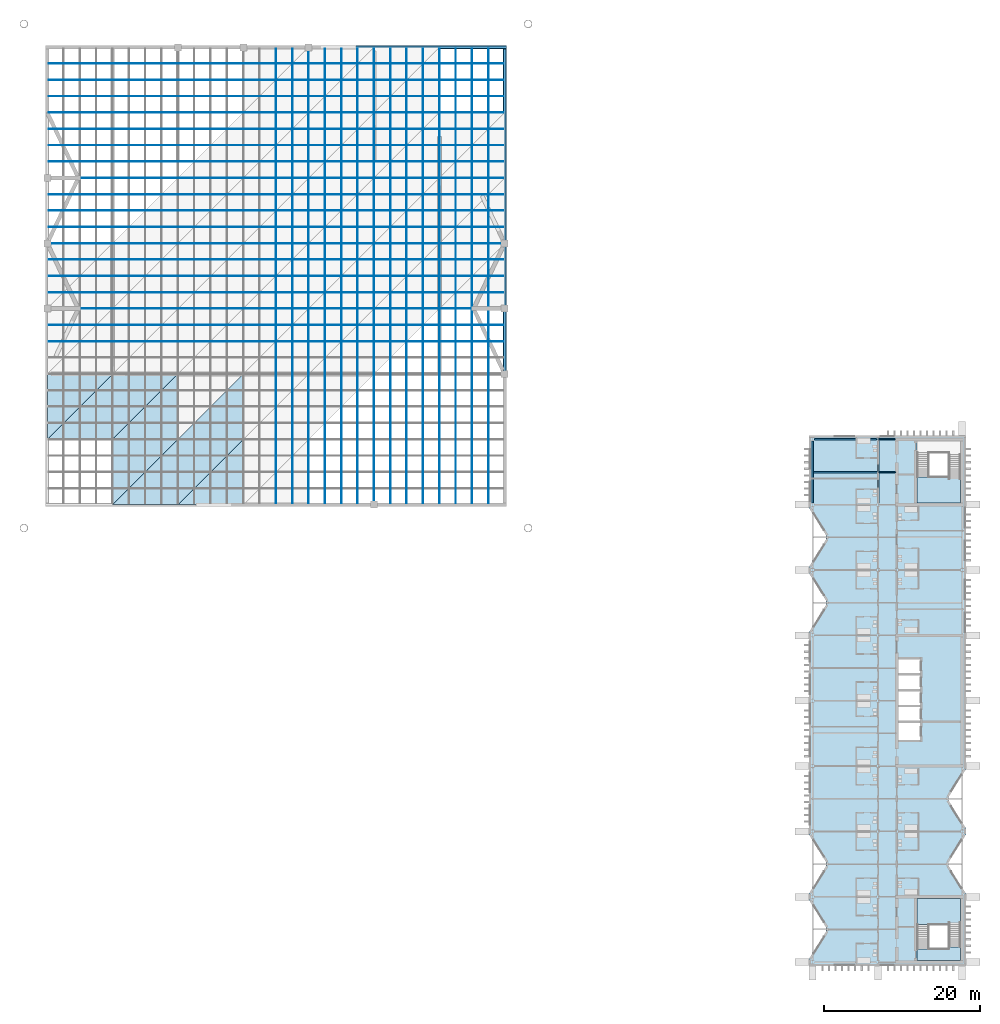
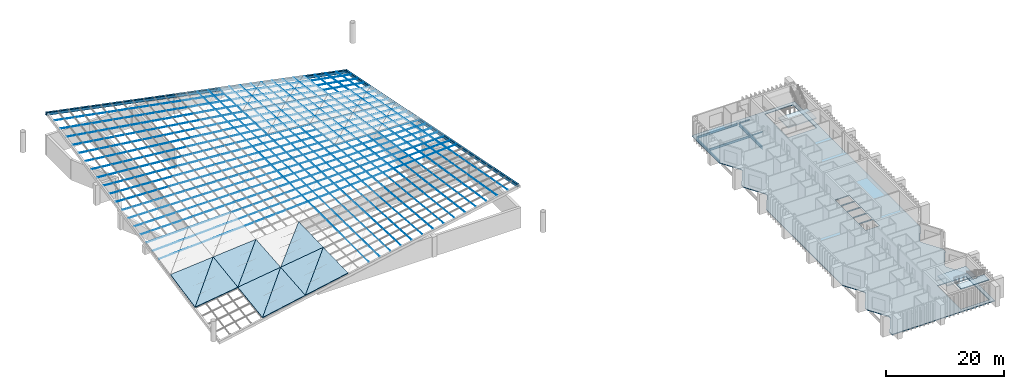
# One storey, part 9 of 20: 34 members, 13 slabs, 6 beams, 2 elements without a shape of their own.
"""IFC4 building model written with IfcOpenShell, lengths in metres."""

from ifc_helpers import new_model, si_unit, direction, frame, origin, origin_2d, place, context, subcontext, project, spatial, polyline, hollow_rectangle, circle, i_section, outline, extrude, material, layer, layer_set, material_profile, profile_set, type_object, element, aggregate, save


model = new_model("IFC4")

# Units and contexts
model_context = context("Model", 3, precision=1e-05, world=origin(), true_north=direction((0.0, 1.0)))
body_context = subcontext(model_context, "Body", "Model", "MODEL_VIEW")
ifc_project = project(units=[si_unit("LENGTHUNIT", "METRE"), si_unit("AREAUNIT", "SQUARE_METRE"), si_unit("VOLUMEUNIT", "CUBIC_METRE"), si_unit("PLANEANGLEUNIT", "RADIAN"), si_unit("MASSUNIT", "GRAM", prefix="KILO")], contexts=[model_context])

# Site, building, storey
site_placement = place(None, origin())
site = spatial("IfcSite", under=ifc_project, at=site_placement, CompositionType="ELEMENT")
building_placement = place(site_placement, origin())
building = spatial("IfcBuilding", under=site, at=building_placement, Name="Cresset Court Congress Hotel", CompositionType="ELEMENT")
storey_placement = place(building_placement, frame((0.0, 0.0, 27.0)))
storey = spatial("IfcBuildingStorey", under=building, at=storey_placement, Name="L06", CompositionType="ELEMENT", Elevation=27.0)

# Members
ifc_material_1 = material(Name="Structural steel Q355B", Category="steel")
ifc_material_profile_1 = material_profile(ifc_material_1, circle(Radius=0.02392578125, at=origin_2d()), Name="CABLE48")
ifc_profile_set_1 = profile_set([ifc_material_profile_1], Name="Structural steel Q355B")
member_type_1 = type_object("IfcMemberType", Name="Net cable 48", PredefinedType="USERDEFINED", material=ifc_profile_set_1)
member_1_placement = place(storey_placement, frame((59.00390625, 79.800048828125, 1.22607421875), z_axis=(0.998360400051, 0.0, 0.057240821184), x_axis=(0.0, 1.0, 0.0)))
element("IfcMember", 1, at=member_1_placement, inside=storey, type_object=member_type_1, Name="Net cable CB-X10", ObjectType="CABLE", PredefinedType="USERDEFINED", context=body_context, shape_type="SweptSolid", body=[
    extrude(circle(Radius=0.02392578125, at=origin_2d()), origin(), (0.0, 0.0, 1.0), 58.488037109375),
])
member_2_placement = place(storey_placement, frame((59.00390625, 81.89990234375, 1.64453125), z_axis=(0.999076687205, 0.0, 0.042962461337), x_axis=(0.0, 1.0, 0.0)))
element("IfcMember", 2, at=member_2_placement, inside=storey, type_object=member_type_1, Name="Net cable CB-X11", ObjectType="CABLE", PredefinedType="USERDEFINED", context=body_context, shape_type="SweptSolid", body=[
    extrude(circle(Radius=0.02392578125, at=origin_2d()), origin(), (0.0, 0.0, 1.0), 58.446044921875),
])
member_3_placement = place(storey_placement, frame((59.00390625, 84.0, 2.06298828125), z_axis=(0.999589282936, 0.0, 0.028657729156), x_axis=(0.0, 1.0, 0.0)))
element("IfcMember", 3, at=member_3_placement, inside=storey, type_object=member_type_1, Name="Net cable CB-X12", ObjectType="CABLE", PredefinedType="USERDEFINED", context=body_context, shape_type="SweptSolid", body=[
    extrude(circle(Radius=0.02392578125, at=origin_2d()), origin(), (0.0, 0.0, 1.0), 58.416015625),
])
member_4_placement = place(storey_placement, frame((59.00390625, 86.10009765625, 2.4814453125), z_axis=(0.999897243312, 0.0, 0.014335369427), x_axis=(0.0, 1.0, 0.0)))
element("IfcMember", 4, at=member_4_placement, inside=storey, type_object=member_type_1, Name="Net cable CB-X13", ObjectType="CABLE", PredefinedType="USERDEFINED", context=body_context, shape_type="SweptSolid", body=[
    extrude(circle(Radius=0.02392578125, at=origin_2d()), origin(), (0.0, 0.0, 1.0), 58.398193359375),
])
member_5_placement = place(storey_placement, frame((59.00390625, 88.199951171875, 2.89990234375), z_axis=(1.0, 0.0, 0.0), x_axis=(0.0, 1.0, 0.0)))
element("IfcMember", 5, at=member_5_placement, inside=storey, type_object=member_type_1, Name="Net cable CB-X14", ObjectType="CABLE", PredefinedType="USERDEFINED", context=body_context, shape_type="SweptSolid", body=[
    extrude(circle(Radius=0.02392578125, at=origin_2d()), origin(), (0.0, 0.0, 1.0), 58.39208984375),
])
member_6_placement = place(storey_placement, frame((59.00390625, 90.300048828125, 3.318603515625), z_axis=(0.999897243312, 0.0, -0.014335369427), x_axis=(0.0, 1.0, 0.0)))
element("IfcMember", 6, at=member_6_placement, inside=storey, type_object=member_type_1, Name="Net cable CB-X15", ObjectType="CABLE", PredefinedType="USERDEFINED", context=body_context, shape_type="SweptSolid", body=[
    extrude(circle(Radius=0.02392578125, at=origin_2d()), origin(), (0.0, 0.0, 1.0), 58.398193359375),
])
member_7_placement = place(storey_placement, frame((59.00390625, 92.39990234375, 3.737060546875), z_axis=(0.999589282936, 0.0, -0.028657729156), x_axis=(0.0, 1.0, 0.0)))
element("IfcMember", 7, at=member_7_placement, inside=storey, type_object=member_type_1, Name="Net cable CB-X16", ObjectType="CABLE", PredefinedType="USERDEFINED", context=body_context, shape_type="SweptSolid", body=[
    extrude(circle(Radius=0.02392578125, at=origin_2d()), origin(), (0.0, 0.0, 1.0), 58.416015625),
])
member_8_placement = place(storey_placement, frame((59.00390625, 94.5, 4.155517578125), z_axis=(0.999076687205, 0.0, -0.042962461337), x_axis=(0.0, 1.0, 0.0)))
element("IfcMember", 8, at=member_8_placement, inside=storey, type_object=member_type_1, Name="Net cable CB-X17", ObjectType="CABLE", PredefinedType="USERDEFINED", context=body_context, shape_type="SweptSolid", body=[
    extrude(circle(Radius=0.02392578125, at=origin_2d()), origin(), (0.0, 0.0, 1.0), 58.446044921875),
])
member_9_placement = place(storey_placement, frame((59.00390625, 96.60009765625, 4.573974609375), z_axis=(0.998360400051, 0.0, -0.057240821184), x_axis=(0.0, 1.0, 0.0)))
element("IfcMember", 9, at=member_9_placement, inside=storey, type_object=member_type_1, Name="Net cable CB-X18", ObjectType="CABLE", PredefinedType="USERDEFINED", context=body_context, shape_type="SweptSolid", body=[
    extrude(circle(Radius=0.02392578125, at=origin_2d()), origin(), (0.0, 0.0, 1.0), 58.488037109375),
])
member_10_placement = place(storey_placement, frame((59.00390625, 98.699951171875, 4.992431640625), z_axis=(0.997441438818, 0.0, -0.071488293645), x_axis=(0.0, 1.0, 0.0)))
element("IfcMember", 10, at=member_10_placement, inside=storey, type_object=member_type_1, Name="Net cable CB-X19", ObjectType="CABLE", PredefinedType="USERDEFINED", context=body_context, shape_type="SweptSolid", body=[
    extrude(circle(Radius=0.02392578125, at=origin_2d()), origin(), (0.0, 0.0, 1.0), 58.5419921875),
])
member_11_placement = place(storey_placement, frame((59.00390625, 100.800048828125, 5.4111328125), z_axis=(0.996321663118, 0.0, -0.085692144347), x_axis=(0.0, 1.0, 0.0)))
element("IfcMember", 11, at=member_11_placement, inside=storey, type_object=member_type_1, Name="Net cable CB-X20", ObjectType="CABLE", PredefinedType="USERDEFINED", context=body_context, shape_type="SweptSolid", body=[
    extrude(circle(Radius=0.02392578125, at=origin_2d()), origin(), (0.0, 0.0, 1.0), 58.607666015625),
])
member_12_placement = place(storey_placement, frame((59.00390625, 102.89990234375, 5.82958984375), z_axis=(0.995003522598, 0.0, -0.099839821799), x_axis=(0.0, 1.0, 0.0)))
element("IfcMember", 12, at=member_12_placement, inside=storey, type_object=member_type_1, Name="Net cable CB-X21", ObjectType="CABLE", PredefinedType="USERDEFINED", context=body_context, shape_type="SweptSolid", body=[
    extrude(circle(Radius=0.02392578125, at=origin_2d()), origin(), (0.0, 0.0, 1.0), 58.685302734375),
])
member_13_placement = place(storey_placement, frame((59.00390625, 105.0, 6.248046875), z_axis=(0.993489099968, 0.0, -0.113927205904), x_axis=(0.0, 1.0, 0.0)))
element("IfcMember", 13, at=member_13_placement, inside=storey, type_object=member_type_1, Name="Net cable CB-X22", ObjectType="CABLE", PredefinedType="USERDEFINED", context=body_context, shape_type="SweptSolid", body=[
    extrude(circle(Radius=0.02392578125, at=origin_2d()), origin(), (0.0, 0.0, 1.0), 58.774658203125),
])
member_14_placement = place(storey_placement, frame((59.00390625, 107.10009765625, 6.66650390625), z_axis=(0.99178110897, 0.0, -0.127946207018), x_axis=(0.0, 1.0, 0.0)))
element("IfcMember", 14, at=member_14_placement, inside=storey, type_object=member_type_1, Name="Net cable CB-X23", ObjectType="CABLE", PredefinedType="USERDEFINED", context=body_context, shape_type="SweptSolid", body=[
    extrude(circle(Radius=0.02392578125, at=origin_2d()), origin(), (0.0, 0.0, 1.0), 58.8759765625),
])
member_15_placement = place(storey_placement, frame((59.00390625, 109.199951171875, 7.0849609375), z_axis=(0.989882002412, 0.0, -0.141892992427), x_axis=(0.0, 1.0, 0.0)))
element("IfcMember", 15, at=member_15_placement, inside=storey, type_object=member_type_1, Name="Net cable CB-X24", ObjectType="CABLE", PredefinedType="USERDEFINED", context=body_context, shape_type="SweptSolid", body=[
    extrude(circle(Radius=0.02392578125, at=origin_2d()), origin(), (0.0, 0.0, 1.0), 58.989013671875),
])
member_16_placement = place(storey_placement, frame((59.00390625, 111.300048828125, 7.503662109375), z_axis=(0.98779559324, 0.0, -0.155755789542), x_axis=(0.0, 1.0, 0.0)))
element("IfcMember", 16, at=member_16_placement, inside=storey, type_object=member_type_1, Name="Net cable CB-X25", ObjectType="CABLE", PredefinedType="USERDEFINED", context=body_context, shape_type="SweptSolid", body=[
    extrude(circle(Radius=0.02392578125, at=origin_2d()), origin(), (0.0, 0.0, 1.0), 59.113525390625),
])
member_17_placement = place(storey_placement, frame((59.00390625, 113.39990234375, 7.922119140625), z_axis=(0.98552620283, 0.0, -0.169523165188), x_axis=(0.0, 1.0, 0.0)))
element("IfcMember", 17, at=member_17_placement, inside=storey, type_object=member_type_1, Name="Net cable CB-X26", ObjectType="CABLE", PredefinedType="USERDEFINED", context=body_context, shape_type="SweptSolid", body=[
    extrude(circle(Radius=0.02392578125, at=origin_2d()), origin(), (0.0, 0.0, 1.0), 59.249755859375),
])
member_18_placement = place(storey_placement, frame((59.00390625, 115.5, 8.340576171875), z_axis=(0.983077152498, 0.0, -0.183192009205), x_axis=(0.0, 1.0, 0.0)))
element("IfcMember", 18, at=member_18_placement, inside=storey, type_object=member_type_1, Name="Net cable CB-X27", ObjectType="CABLE", PredefinedType="USERDEFINED", context=body_context, shape_type="SweptSolid", body=[
    extrude(circle(Radius=0.02392578125, at=origin_2d()), origin(), (0.0, 0.0, 1.0), 59.397216796875),
])
member_19_placement = place(storey_placement, frame((88.199951171875, 59.00390625, 2.948974609375), z_axis=(0.0, 1.0, 0.0), x_axis=(-1.0, 0.0, 0.0)))
element("IfcMember", 19, at=member_19_placement, inside=storey, type_object=member_type_1, Name="Net cable CB-Y14", ObjectType="CABLE", PredefinedType="USERDEFINED", context=body_context, shape_type="SweptSolid", body=[
    extrude(circle(Radius=0.02392578125, at=origin_2d()), origin(), (0.0, 0.0, 1.0), 58.39208984375),
])
member_20_placement = place(storey_placement, frame((90.300048828125, 59.00390625, 3.367431640625), z_axis=(0.0, 0.999897303228, -0.014331189659), x_axis=(-1.0, 0.0, 0.0)))
element("IfcMember", 20, at=member_20_placement, inside=storey, type_object=member_type_1, Name="Net cable CB-Y15", ObjectType="CABLE", PredefinedType="USERDEFINED", context=body_context, shape_type="SweptSolid", body=[
    extrude(circle(Radius=0.02392578125, at=origin_2d()), origin(), (0.0, 0.0, 1.0), 58.398193359375),
])
member_21_placement = place(storey_placement, frame((92.39990234375, 59.00390625, 3.785888671875), z_axis=(0.0, 0.999589402648, -0.028653553248), x_axis=(-1.0, 0.0, 0.0)))
element("IfcMember", 21, at=member_21_placement, inside=storey, type_object=member_type_1, Name="Net cable CB-Y16", ObjectType="CABLE", PredefinedType="USERDEFINED", context=body_context, shape_type="SweptSolid", body=[
    extrude(circle(Radius=0.02392578125, at=origin_2d()), origin(), (0.0, 0.0, 1.0), 58.416015625),
])
member_22_placement = place(storey_placement, frame((94.5, 59.00390625, 4.20458984375), z_axis=(0.0, 0.999076687205, -0.042962461337), x_axis=(-1.0, 0.0, 0.0)))
element("IfcMember", 22, at=member_22_placement, inside=storey, type_object=member_type_1, Name="Net cable CB-Y17", ObjectType="CABLE", PredefinedType="USERDEFINED", context=body_context, shape_type="SweptSolid", body=[
    extrude(circle(Radius=0.02392578125, at=origin_2d()), origin(), (0.0, 0.0, 1.0), 58.446044921875),
])
member_23_placement = place(storey_placement, frame((96.60009765625, 59.00390625, 4.623046875), z_axis=(0.0, 0.9983601615, -0.057244981707), x_axis=(-1.0, 0.0, 0.0)))
element("IfcMember", 23, at=member_23_placement, inside=storey, type_object=member_type_1, Name="Net cable CB-Y18", ObjectType="CABLE", PredefinedType="USERDEFINED", context=body_context, shape_type="SweptSolid", body=[
    extrude(circle(Radius=0.02392578125, at=origin_2d()), origin(), (0.0, 0.0, 1.0), 58.488037109375),
])
member_24_placement = place(storey_placement, frame((98.699951171875, 59.00390625, 5.04150390625), z_axis=(0.0, 0.997441438818, -0.071488293645), x_axis=(-1.0, 0.0, 0.0)))
element("IfcMember", 24, at=member_24_placement, inside=storey, type_object=member_type_1, Name="Net cable CB-Y19", ObjectType="CABLE", PredefinedType="USERDEFINED", context=body_context, shape_type="SweptSolid", body=[
    extrude(circle(Radius=0.02392578125, at=origin_2d()), origin(), (0.0, 0.0, 1.0), 58.5419921875),
])
member_25_placement = place(storey_placement, frame((100.800048828125, 59.00390625, 5.4599609375), z_axis=(0.0, 0.996322018762, -0.085688009257), x_axis=(-1.0, 0.0, 0.0)))
element("IfcMember", 25, at=member_25_placement, inside=storey, type_object=member_type_1, Name="Net cable CB-Y20", ObjectType="CABLE", PredefinedType="USERDEFINED", context=body_context, shape_type="SweptSolid", body=[
    extrude(circle(Radius=0.02392578125, at=origin_2d()), origin(), (0.0, 0.0, 1.0), 58.607666015625),
])
member_26_placement = place(storey_placement, frame((102.89990234375, 59.00390625, 5.87841796875), z_axis=(0.0, 0.995003935865, -0.099835703099), x_axis=(-1.0, 0.0, 0.0)))
element("IfcMember", 26, at=member_26_placement, inside=storey, type_object=member_type_1, Name="Net cable CB-Y21", ObjectType="CABLE", PredefinedType="USERDEFINED", context=body_context, shape_type="SweptSolid", body=[
    extrude(circle(Radius=0.02392578125, at=origin_2d()), origin(), (0.0, 0.0, 1.0), 58.685302734375),
])
member_27_placement = place(storey_placement, frame((105.0, 59.00390625, 6.297119140625), z_axis=(0.0, 0.993489099968, -0.113927205904), x_axis=(-1.0, 0.0, 0.0)))
element("IfcMember", 27, at=member_27_placement, inside=storey, type_object=member_type_1, Name="Net cable CB-Y22", ObjectType="CABLE", PredefinedType="USERDEFINED", context=body_context, shape_type="SweptSolid", body=[
    extrude(circle(Radius=0.02392578125, at=origin_2d()), origin(), (0.0, 0.0, 1.0), 58.774658203125),
])
member_28_placement = place(storey_placement, frame((107.10009765625, 59.00390625, 6.715576171875), z_axis=(0.0, 0.991780582769, -0.127950285825), x_axis=(-1.0, 0.0, 0.0)))
element("IfcMember", 28, at=member_28_placement, inside=storey, type_object=member_type_1, Name="Net cable CB-Y23", ObjectType="CABLE", PredefinedType="USERDEFINED", context=body_context, shape_type="SweptSolid", body=[
    extrude(circle(Radius=0.02392578125, at=origin_2d()), origin(), (0.0, 0.0, 1.0), 58.8759765625),
])
member_29_placement = place(storey_placement, frame((109.199951171875, 59.00390625, 7.134033203125), z_axis=(0.0, 0.989882002412, -0.141892992427), x_axis=(-1.0, 0.0, 0.0)))
element("IfcMember", 29, at=member_29_placement, inside=storey, type_object=member_type_1, Name="Net cable CB-Y24", ObjectType="CABLE", PredefinedType="USERDEFINED", context=body_context, shape_type="SweptSolid", body=[
    extrude(circle(Radius=0.02392578125, at=origin_2d()), origin(), (0.0, 0.0, 1.0), 58.989013671875),
])
member_30_placement = place(storey_placement, frame((111.300048828125, 59.00390625, 7.552490234375), z_axis=(0.0, 0.987796228657, -0.155751759703), x_axis=(-1.0, 0.0, 0.0)))
element("IfcMember", 30, at=member_30_placement, inside=storey, type_object=member_type_1, Name="Net cable CB-Y25", ObjectType="CABLE", PredefinedType="USERDEFINED", context=body_context, shape_type="SweptSolid", body=[
    extrude(circle(Radius=0.02392578125, at=origin_2d()), origin(), (0.0, 0.0, 1.0), 59.113525390625),
])
member_31_placement = place(storey_placement, frame((113.39990234375, 59.00390625, 7.970947265625), z_axis=(0.0, 0.985526891239, -0.169519163059), x_axis=(-1.0, 0.0, 0.0)))
element("IfcMember", 31, at=member_31_placement, inside=storey, type_object=member_type_1, Name="Net cable CB-Y26", ObjectType="CABLE", PredefinedType="USERDEFINED", context=body_context, shape_type="SweptSolid", body=[
    extrude(circle(Radius=0.02392578125, at=origin_2d()), origin(), (0.0, 0.0, 1.0), 59.24951171875),
])
member_32_placement = place(storey_placement, frame((115.5, 59.00390625, 8.3896484375), z_axis=(0.0, 0.983077152498, -0.183192009205), x_axis=(-1.0, 0.0, 0.0)))
element("IfcMember", 32, at=member_32_placement, inside=storey, type_object=member_type_1, Name="Net cable CB-Y27", ObjectType="CABLE", PredefinedType="USERDEFINED", context=body_context, shape_type="SweptSolid", body=[
    extrude(circle(Radius=0.02392578125, at=origin_2d()), origin(), (0.0, 0.0, 1.0), 59.397216796875),
])
ifc_material_2 = material(Name="Structural steel Q355B", Category="steel")
ifc_material_profile_2 = material_profile(ifc_material_2, hollow_rectangle(XDim=0.39990234375, YDim=0.60009765625, WallThickness=0.02490234375, InnerFilletRadius=0.012451171875, OuterFilletRadius=0.03759765625, at=origin_2d()), Name="RHS600x400x25")
ifc_profile_set_2 = profile_set([ifc_material_profile_2], Name="Structural steel Q355B")
member_type_2 = type_object("IfcMemberType", Name="Ring beam box 600x400x25", PredefinedType="USERDEFINED", material=ifc_profile_set_2)
member_33_placement = place(storey_placement, frame((117.60009765625, 59.06005859375, 8.5224609375), z_axis=(0.0, 0.98045171928, -0.196759818461), x_axis=(-1.0, 0.0, 0.0)))
element("IfcMember", 33, at=member_33_placement, inside=storey, type_object=member_type_2, Name="Ring beam RB-E", ObjectType="RING BEAM", PredefinedType="USERDEFINED", context=body_context, shape_type="SweptSolid", body=[
    extrude(hollow_rectangle(XDim=0.39990234375, YDim=0.60009765625, WallThickness=0.02490234375, InnerFilletRadius=0.012451171875, OuterFilletRadius=0.03759765625, at=origin_2d()), origin(), (0.0, 0.0, 1.0), 59.442138671875),
])
member_34_placement = place(storey_placement, frame((117.800048828125, 117.60009765625, -3.265625), z_axis=(-0.980451854127, 0.0, 0.19675914652), x_axis=(0.0, -1.0, 0.0)))
element("IfcMember", 34, at=member_34_placement, inside=storey, type_object=member_type_2, Name="Ring beam RB-N", ObjectType="RING BEAM", PredefinedType="USERDEFINED", context=body_context, shape_type="SweptSolid", body=[
    extrude(hollow_rectangle(XDim=0.39990234375, YDim=0.60009765625, WallThickness=0.02490234375, InnerFilletRadius=0.012451171875, OuterFilletRadius=0.03759765625, at=origin_2d()), origin(), (0.0, 0.0, 1.0), 60.38037109375),
])

# Beams
ifc_material_3 = material(Name="Structural steel Q355B", Category="steel")
ifc_material_profile_3 = material_profile(ifc_material_3, i_section(OverallWidth=0.198974609375, OverallDepth=0.446044921875, WebThickness=0.008056640625, FlangeThickness=0.011962890625, FilletRadius=0.012939453125, at=origin_2d()), Name="HN446x199x8x12")
ifc_profile_set_3 = profile_set([ifc_material_profile_3], Name="Structural steel Q355B")
beam_type_1 = type_object("IfcBeamType", Name="Steel beam HN446x199x8x12", PredefinedType="BEAM", material=ifc_profile_set_3)
beam_1_placement = place(storey_placement, frame((157.300048828125, 63.0, -0.373046875), z_axis=(1.0, 0.0, 0.0), x_axis=(0.0, 1.0, 0.0)))
element("IfcBeam", 35, at=beam_1_placement, inside=storey, type_object=beam_type_1, Name="A.bm.L06.W.mid.7", PredefinedType="BEAM", context=body_context, shape_type="SweptSolid", body=[
    extrude(i_section(OverallWidth=0.198974609375, OverallDepth=0.446044921875, WebThickness=0.008056640625, FlangeThickness=0.011962890625, FilletRadius=0.012939453125, at=origin_2d()), origin(), (0.0, 0.0, 1.0), 8.199951171875),
])
beam_2_placement = place(storey_placement, frame((157.39990234375, 67.199951171875, -0.373046875), z_axis=(1.0, 0.0, 0.0), x_axis=(0.0, 1.0, 0.0)))
element("IfcBeam", 36, at=beam_2_placement, inside=storey, type_object=beam_type_1, Name="A.bm.L06.W.frame1.7", PredefinedType="BEAM", context=body_context, shape_type="SweptSolid", body=[
    extrude(i_section(OverallWidth=0.198974609375, OverallDepth=0.446044921875, WebThickness=0.008056640625, FlangeThickness=0.011962890625, FilletRadius=0.012939453125, at=origin_2d()), origin(), (0.0, 0.0, 1.0), 8.0),
])
ifc_material_4 = material(Name="Structural steel Q355B", Category="steel")
ifc_material_profile_4 = material_profile(ifc_material_4, i_section(OverallWidth=0.125, OverallDepth=0.25, WebThickness=0.006103515625, FlangeThickness=0.009033203125, FilletRadius=0.012939453125, at=origin_2d()), Name="HN250x125x6x9")
ifc_profile_set_4 = profile_set([ifc_material_profile_4], Name="Structural steel Q355B")
beam_type_2 = type_object("IfcBeamType", Name="Steel corridor beam HN250x125x6x9", PredefinedType="BEAM", material=ifc_profile_set_4)
beam_3_placement = place(storey_placement, frame((165.699951171875, 63.0, -0.27490234375), z_axis=(1.0, 0.0, 0.0), x_axis=(0.0, 1.0, 0.0)))
element("IfcBeam", 37, at=beam_3_placement, inside=storey, type_object=beam_type_2, Name="A.bm.L06.C.mid.7", PredefinedType="BEAM", context=body_context, shape_type="SweptSolid", body=[
    extrude(i_section(OverallWidth=0.125, OverallDepth=0.25, WebThickness=0.006103515625, FlangeThickness=0.009033203125, FilletRadius=0.012939453125, at=origin_2d()), origin(), (0.0, 0.0, 1.0), 2.199951171875),
])
beam_4_placement = place(storey_placement, frame((165.6064453125, 67.199951171875, -0.27490234375), z_axis=(1.0, 0.0, 0.0), x_axis=(0.0, 1.0, 0.0)))
element("IfcBeam", 38, at=beam_4_placement, inside=storey, type_object=beam_type_2, Name="A.bm.L06.C.frame1.7", PredefinedType="BEAM", context=body_context, shape_type="SweptSolid", body=[
    extrude(i_section(OverallWidth=0.125, OverallDepth=0.25, WebThickness=0.006103515625, FlangeThickness=0.009033203125, FilletRadius=0.012939453125, at=origin_2d()), origin(), (0.0, 0.0, 1.0), 2.193603515625),
])
ifc_material_5 = material(Name="Structural steel Q355B", Category="steel")
ifc_material_profile_5 = material_profile(ifc_material_5, i_section(OverallWidth=0.199951171875, OverallDepth=0.60009765625, WebThickness=0.010986328125, FlangeThickness=0.01708984375, FilletRadius=0.012939453125, at=origin_2d()), Name="HN600x200x11x17")
ifc_profile_set_5 = profile_set([ifc_material_profile_5], Name="Structural steel Q355B")
beam_type_3 = type_object("IfcBeamType", Name="Steel girder HN600x200x11x17", PredefinedType="BEAM", material=ifc_profile_set_5)
for number, where, z_axis, x_axis, name in (
    (39, (157.199951171875, 59.0, -0.449951171875), (0.0, 1.0, 0.0), (-1.0, 0.0, 0.0), "A.gir.L06.0.7"),
    (40, (165.60009765625, 59.0, -0.449951171875), (0.0, 1.0, 0.0), (-1.0, 0.0, 0.0), "A.gir.L06.1.7"),
):
    element("IfcBeam", number, at=place(storey_placement, frame(where, z_axis=z_axis, x_axis=x_axis)), inside=storey, type_object=beam_type_3, Name=name, PredefinedType="BEAM", context=body_context, shape_type="SweptSolid", body=[
        extrude(i_section(OverallWidth=0.199951171875, OverallDepth=0.60009765625, WebThickness=0.010986328125, FlangeThickness=0.01708984375, FilletRadius=0.012939453125, at=origin_2d()), origin(), (0.0, 0.0, 1.0), 8.0),
    ])

# Slabs
ifc_material_6 = material(Name="Concrete C35", Category="concrete")
ifc_layer_1 = layer(ifc_material_6, 0.14990234375)
ifc_layer_set_1 = layer_set([ifc_layer_1], Name="Composite floor slab 150")
slab_type_1 = type_object("IfcSlabType", Name="Composite floor slab 150", PredefinedType="FLOOR", material=ifc_layer_set_1)
slab_1_placement = place(storey_placement, frame((0.0, 0.0, -0.14990234375)))
element("IfcSlab", 41, at=slab_1_placement, inside=storey, type_object=slab_type_1, Name="A.slab.L06", PredefinedType="FLOOR", context=body_context, shape_type="SweptSolid", body=[
    extrude(outline(polyline([(156.699951171875, -0.5), (176.89990234375, -0.5), (176.89990234375, 8.7900390625), (174.665283203125, 12.375), (174.665283203125, 12.824951171875), (176.89990234375, 16.409912109375), (176.89990234375, 17.190185546875), (174.665283203125, 20.77490234375), (174.665283203125, 21.22509765625), (176.89990234375, 24.809814453125), (176.89990234375, 67.699951171875), (156.699951171875, 67.699951171875), (156.699951171875, 58.409912109375), (158.934814453125, 54.824951171875), (158.934814453125, 54.375), (156.699951171875, 50.7900390625), (156.699951171875, 50.010009765625), (158.934814453125, 46.425048828125), (158.934814453125, 45.97509765625), (156.699951171875, 42.39013671875), (156.699951171875, 16.409912109375), (158.934814453125, 12.824951171875), (158.934814453125, 12.375), (156.699951171875, 8.7900390625), (156.699951171875, 8.010009765625), (158.934814453125, 4.425048828125), (158.934814453125, 3.97509765625), (156.699951171875, 0.39013671875), (156.699951171875, -0.5)]), holes=[polyline([(170.60009765625, 0.199951171875), (176.199951171875, 0.199951171875), (176.199951171875, 8.199951171875), (170.60009765625, 8.199951171875), (170.60009765625, 0.199951171875)]), polyline([(170.60009765625, 59.0), (176.199951171875, 59.0), (176.199951171875, 67.0), (170.60009765625, 67.0), (170.60009765625, 59.0)]), polyline([(168.25, 28.550048828125), (171.0, 28.550048828125), (171.0, 30.75), (168.25, 30.75), (168.25, 28.550048828125)]), polyline([(168.25, 31.0), (171.0, 31.0), (171.0, 32.800048828125), (168.25, 32.800048828125), (168.25, 31.0)]), polyline([(168.25, 33.050048828125), (171.0, 33.050048828125), (171.0, 34.85009765625), (168.25, 34.85009765625), (168.25, 33.050048828125)]), polyline([(168.25, 35.10009765625), (171.0, 35.10009765625), (171.0, 36.89990234375), (168.25, 36.89990234375), (168.25, 35.10009765625)]), polyline([(168.25, 37.14990234375), (171.0, 37.14990234375), (171.0, 38.949951171875), (168.25, 38.949951171875), (168.25, 37.14990234375)])]), origin(), (0.0, 0.0, 1.0), 0.14990234375),
])
ifc_material_7 = material(Name="Titanium-zinc standing seam roof panel")
ifc_layer_2 = layer(ifc_material_7, 0.14990234375)
ifc_layer_set_2 = layer_set([ifc_layer_2], Name="Roof cover facet 150")
slab_type_2 = type_object("IfcSlabType", Name="Roof cover facet 150", PredefinedType="ROOF", material=ifc_layer_set_2)
slab_2_placement = place(storey_placement, frame((58.800048828125, 67.199951171875, -1.083740234375), z_axis=(-0.140489407558, -0.140485324394, 0.980064589705), x_axis=(0.989881480933, 0.0, 0.141896630354)))
element("IfcSlab", 42, at=slab_2_placement, inside=storey, type_object=slab_type_2, Name="Roof panel RP-12A", PredefinedType="ROOF", context=body_context, shape_type="SweptSolid", body=[
    extrude(outline(polyline([(0.0, 0.0), (8.485765726046866, 5.551115123125783e-17), (8.656623680369671, 8.484287188162437), (0.0, 0.0)])), origin(), (0.0, 0.0, -1.0), 0.14990234375),
])
slab_3_placement = place(storey_placement, frame((58.800048828125, 67.199951171875, -1.083740234375), z_axis=(-0.084023015986, -0.196066935838, 0.976984078404), x_axis=(0.693000246398, 0.693020388241, 0.198679138245)))
element("IfcSlab", 43, at=slab_3_placement, inside=storey, type_object=slab_type_2, Name="Roof panel RP-12B", PredefinedType="ROOF", context=body_context, shape_type="SweptSolid", body=[
    extrude(outline(polyline([(0.0, 0.0), (12.121066893419664, 8.326672684688674e-17), (6.156404284130628, 5.9584426319012005), (0.0, 0.0)])), origin(), (0.0, 0.0, -1.0), 0.14990234375),
])
slab_4_placement = place(storey_placement, frame((67.199951171875, 58.800048828125, -1.083740234375), z_axis=(-0.196066935838, -0.084023015986, 0.976984078404), x_axis=(0.9804511359, 0.0, 0.196762725416)))
element("IfcSlab", 44, at=slab_4_placement, inside=storey, type_object=slab_type_2, Name="Roof panel RP-21A", PredefinedType="ROOF", context=body_context, shape_type="SweptSolid", body=[
    extrude(outline(polyline([(0.0, 0.0), (8.567633997044904, 0.0), (8.709777772559022, 8.429711370348985), (0.0, 0.0)])), origin(), (0.0, 0.0, -1.0), 0.14990234375),
])
slab_5_placement = place(storey_placement, frame((67.199951171875, 58.800048828125, -1.083740234375), z_axis=(-0.140485324394, -0.140489407558, 0.980064589705), x_axis=(0.693020388241, 0.693000246398, 0.198679138245)))
element("IfcSlab", 45, at=slab_5_placement, inside=storey, type_object=slab_type_2, Name="Roof panel RP-21B", PredefinedType="ROOF", context=body_context, shape_type="SweptSolid", body=[
    extrude(outline(polyline([(0.0, 0.0), (12.121066893419664, 6.423897871976614e-17), (6.06036425473783, 5.939714223533628), (0.0, 0.0)])), origin(), (0.0, 0.0, -1.0), 0.14990234375),
])
slab_6_placement = place(storey_placement, frame((67.199951171875, 67.199951171875, 0.120361328125), z_axis=(-0.141381213468, -0.084822994861, 0.986314560382), x_axis=(0.989882060194, 0.0, 0.141892589324)))
element("IfcSlab", 46, at=slab_6_placement, inside=storey, type_object=slab_type_2, Name="Roof panel RP-22A", PredefinedType="ROOF", context=body_context, shape_type="SweptSolid", body=[
    extrude(outline(polyline([(0.0, 0.0), (8.486007396401009, 0.0), (8.588512321159415, 8.430529814616017), (0.0, 0.0)])), origin(), (0.0, 0.0, -1.0), 0.14990234375),
])
slab_7_placement = place(storey_placement, frame((67.199951171875, 67.199951171875, 0.120361328125), z_axis=(-0.084822994861, -0.141381213468, 0.986314560382), x_axis=(0.697988124104, 0.697988124104, 0.160078597009)))
element("IfcSlab", 47, at=slab_7_placement, inside=storey, type_object=slab_type_2, Name="Roof panel RP-22B", PredefinedType="ROOF", context=body_context, shape_type="SweptSolid", body=[
    extrude(outline(polyline([(0.0, 0.0), (12.034798579362958, -1.0130785099704553e-15), (6.055953375606713, 5.944556353862773), (0.0, 0.0)])), origin(), (0.0, 0.0, -1.0), 0.14990234375),
])
slab_8_placement = place(storey_placement, frame((75.60009765625, 58.800048828125, 0.60205078125), z_axis=(-0.196663056487, -0.028115069054, 0.980067949229), x_axis=(0.980455529857, 0.0, 0.196740829452)))
element("IfcSlab", 48, at=slab_8_placement, inside=storey, type_object=slab_type_2, Name="Roof panel RP-31A", PredefinedType="ROOF", context=body_context, shape_type="SweptSolid", body=[
    extrude(outline(polyline([(0.0, 0.0), (8.567346593453484, 0.0), (8.614754600941097, 8.403224194471965), (0.0, 0.0)])), origin(), (0.0, 0.0, -1.0), 0.14990234375),
])
slab_9_placement = place(storey_placement, frame((75.60009765625, 58.800048828125, 0.60205078125), z_axis=(-0.141385210963, -0.084825393195, 0.986313781101), x_axis=(0.697987604244, 0.697987604244, 0.160083130416)))
element("IfcSlab", 49, at=slab_9_placement, inside=storey, type_object=slab_type_2, Name="Roof panel RP-31B", PredefinedType="ROOF", context=body_context, shape_type="SweptSolid", body=[
    extrude(outline(polyline([(0.0, 0.0), (12.034457764976153, -3.608224830031759e-16), (5.9786737047157965, 5.944383851405315), (0.0, 0.0)])), origin(), (0.0, 0.0, -1.0), 0.14990234375),
])
slab_10_placement = place(storey_placement, frame((75.60009765625, 67.199951171875, 1.324462890625), z_axis=(-0.141839573648, -0.028355586968, 0.989483449096), x_axis=(0.989881480933, 0.0, 0.141896630354)))
element("IfcSlab", 50, at=slab_10_placement, inside=storey, type_object=slab_type_2, Name="Roof panel RP-32A", PredefinedType="ROOF", context=body_context, shape_type="SweptSolid", body=[
    extrude(outline(polyline([(0.0, 0.0), (8.485765726046866, 0.0), (8.519923459818619, 8.40352554618675), (0.0, 0.0)])), origin(), (0.0, 0.0, -1.0), 0.14990234375),
])

# Stair, slabs
ifc_material_8 = material(Name="Concrete C40", Category="concrete")
stair_type = type_object("IfcStairType", Name="Concrete dog-leg stair 5600", PredefinedType="HALF_TURN_STAIR", material=ifc_material_8)
stair_1_placement = place(storey_placement, origin())
stair_1 = element("IfcStair", 51, at=stair_1_placement, inside=storey, type_object=stair_type, Name="Stair A1 L06", PredefinedType="HALF_TURN_STAIR")
ifc_material_9 = material(Name="Concrete C40", Category="concrete")
ifc_layer_3 = layer(ifc_material_9, 0.199951171875)
ifc_layer_set_3 = layer_set([ifc_layer_3], Name="Stair landing 200")
slab_type_3 = type_object("IfcSlabType", Name="Stair landing 200", PredefinedType="LANDING", material=ifc_layer_set_3)
slab_11_placement = place(storey_placement, frame((0.0, 0.0, 1.89990234375)))
slab_11 = element("IfcSlab", 52, at=slab_11_placement, type_object=slab_type_3, Name="A-ST1 landing 1", PredefinedType="LANDING", context=body_context, shape_type="SweptSolid", body=[
    extrude(outline(polyline([(170.60009765625, 4.819091796875), (176.199951171875, 4.819091796875), (176.199951171875, 8.199951171875), (170.60009765625, 8.199951171875), (170.60009765625, 4.819091796875)])), origin(), (0.0, 0.0, 1.0), 0.2001953125),
])
slab_12_placement = place(storey_placement, frame((0.0, 0.0, 4.0)))
slab_12 = element("IfcSlab", 53, at=slab_12_placement, type_object=slab_type_3, Name="A-ST1 landing 2", PredefinedType="LANDING", context=body_context, shape_type="SweptSolid", body=[
    extrude(outline(polyline([(170.60009765625, 0.199951171875), (176.199951171875, 0.199951171875), (176.199951171875, 1.960693359375), (174.699951171875, 1.960693359375), (174.699951171875, 1.70068359375), (170.60009765625, 1.70068359375), (170.60009765625, 0.199951171875)])), origin(), (0.0, 0.0, 1.0), 0.199951171875),
])
aggregate(stair_1, [slab_11, slab_12])

# Stair, slab
stair_2_placement = place(storey_placement, origin())
stair_2 = element("IfcStair", 54, at=stair_2_placement, inside=storey, type_object=stair_type, Name="Stair A2 L06", PredefinedType="HALF_TURN_STAIR")
slab_13_placement = place(storey_placement, frame((0.0, 0.0, 1.89990234375)))
slab_13 = element("IfcSlab", 55, at=slab_13_placement, type_object=slab_type_3, Name="A-ST1 landing 1", PredefinedType="LANDING", context=body_context, shape_type="SweptSolid", body=[
    extrude(outline(polyline([(170.60009765625, 62.380859375), (176.199951171875, 62.380859375), (176.199951171875, 59.0), (170.60009765625, 59.0), (170.60009765625, 62.380859375)])), origin(), (0.0, 0.0, 1.0), 0.2001953125),
])
aggregate(stair_2, [slab_13])

save(model, "model.ifc")
